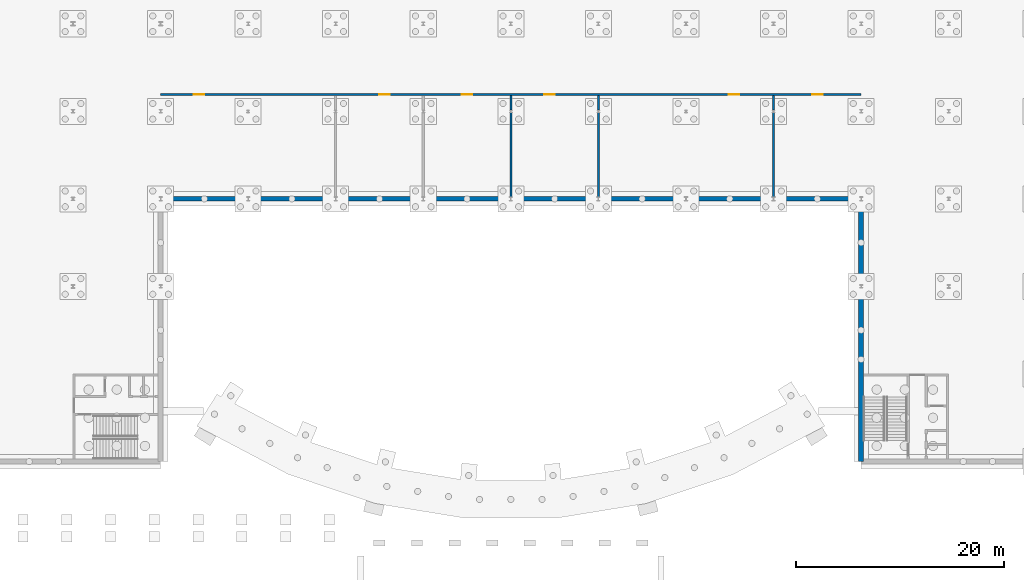
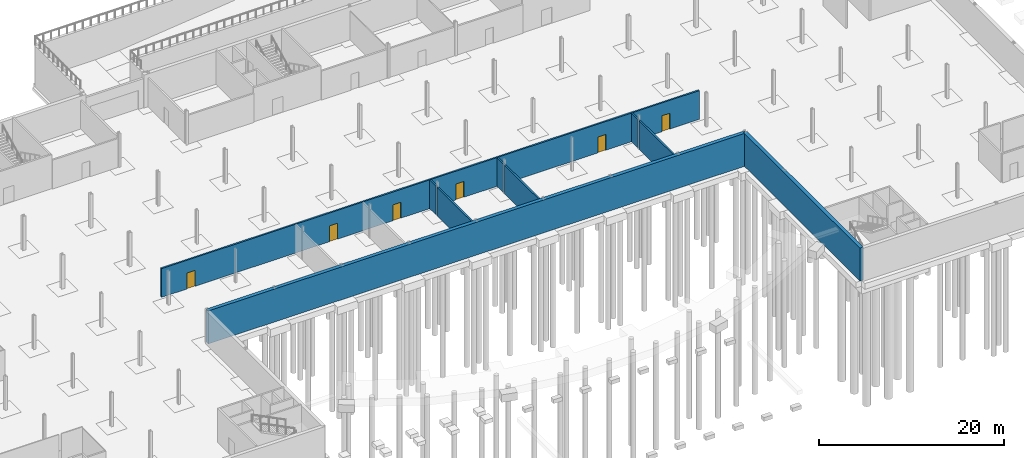
# One storey, part 24 of 35: 9 walls, 6 doors, 6 openings.
"""IFC4 building model written with IfcOpenShell, lengths in metres."""

import ifcopenshell
import ifcopenshell.guid

model = None  # the IFC model being written
_history = None  # IfcOwnerHistory: only IFC2X3 demands one
_inside = {}  # id of a spatial element -> (the spatial element, [elements in it])
_under = {}  # id of a project, library or spatial element -> (it, [spatial elements below it])
_declared = {}  # id of a project -> (the project, [libraries it declares])
_typed = {}  # id of a type object -> (the type object, [elements of that type])
_made_of = {}  # id of a material, layer set ... -> (it, [elements and type objects made of it])


def new_model(schema):
    """Start an empty IFC model of exactly this schema.

    Asked for "IFC4X3", IfcOpenShell would pick the latest addendum, in which some entities
    have other attributes; the version numbers below select the first issue.
    IFC2X3 requires an IfcOwnerHistory on every rooted entity: one is made here for all.
    """
    global model, _history
    if schema == "IFC4X3":
        model = ifcopenshell.file(schema_version=(4, 3, 0, 0))
    else:
        model = ifcopenshell.file(schema=schema)
    _inside.clear()
    _under.clear()
    _declared.clear()
    _typed.clear()
    _made_of.clear()
    _history = None
    if model.schema == "IFC2X3":
        org = make("IfcOrganization", Name="unknown")
        user = make(
            "IfcPersonAndOrganization",
            ThePerson=make("IfcPerson", FamilyName="unknown"),
            TheOrganization=org,
        )
        app = make(
            "IfcApplication",
            ApplicationDeveloper=org,
            Version="unknown",
            ApplicationFullName="unknown",
            ApplicationIdentifier="unknown",
        )
        _history = make(
            "IfcOwnerHistory",
            OwningUser=user,
            OwningApplication=app,
            ChangeAction="ADDED",
            CreationDate=0,
        )
    return model


def make(cls, **values):
    """One entity of the class cls with the attributes given. An attribute that is None is left unset."""
    return model.create_entity(
        cls, **{name: value for name, value in values.items() if value is not None}
    )


def rooted(cls, **values):
    """An entity with a GlobalId (a new one), such as an element, a storey or a relation."""
    return make(cls, GlobalId=ifcopenshell.guid.new(), OwnerHistory=_history, **values)


def si_unit(unit_type, name, prefix=None):
    """IfcSIUnit, for example si_unit("LENGTHUNIT", "METRE", prefix="MILLI")."""
    return make("IfcSIUnit", UnitType=unit_type, Prefix=prefix, Name=name)


def assignment(units):
    """IfcUnitAssignment: the units of a project."""
    return None if units is None else make("IfcUnitAssignment", Units=units)


def point(xyz):
    """IfcCartesianPoint."""
    return None if xyz is None else make("IfcCartesianPoint", Coordinates=xyz)


def direction(xyz):
    """IfcDirection."""
    return None if xyz is None else make("IfcDirection", DirectionRatios=xyz)


def frame(location, z_axis=None, x_axis=None):
    """IfcAxis2Placement3D, a coordinate frame: its origin and axes. An axis left out is left unset."""
    return make(
        "IfcAxis2Placement3D",
        Location=point(location),
        Axis=direction(z_axis),
        RefDirection=direction(x_axis),
    )


def frame_2d(location, x_axis=None):
    """IfcAxis2Placement2D, a coordinate frame in the plane: its origin and x axis."""
    return make(
        "IfcAxis2Placement2D", Location=point(location), RefDirection=direction(x_axis)
    )


def origin():
    """The frame at (0, 0, 0) with its axes left unset."""
    return frame((0.0, 0.0, 0.0))


def place(relative_to, where):
    """IfcLocalPlacement: puts the frame where relative to a parent placement (None: the world)."""
    return make(
        "IfcLocalPlacement", PlacementRelTo=relative_to, RelativePlacement=where
    )


def context(
    kind, dimensions, precision=None, world=None, true_north=None, identifier=None
):
    """IfcGeometricRepresentationContext, for example the 3D "Model" context."""
    return make(
        "IfcGeometricRepresentationContext",
        ContextIdentifier=identifier,
        ContextType=kind,
        CoordinateSpaceDimension=dimensions,
        Precision=precision,
        WorldCoordinateSystem=world,
        TrueNorth=true_north,
    )


def subcontext(parent, identifier, kind, view, scale=None):
    """IfcGeometricRepresentationSubContext, for example "Body" below "Model"."""
    return make(
        "IfcGeometricRepresentationSubContext",
        ContextIdentifier=identifier,
        ContextType=kind,
        ParentContext=parent,
        TargetScale=scale,
        TargetView=view,
    )


def project(units=None, contexts=None):
    """IfcProject with its units and contexts."""
    return rooted(
        "IfcProject",
        Name="project",
        RepresentationContexts=contexts,
        UnitsInContext=assignment(units),
    )


def spatial(cls, under=None, at=None, **own):
    """A site, building, storey or space (cls), placed at a placement, below another one or the project."""
    s = rooted(cls, ObjectPlacement=at, **own)
    if under is not None:
        _under.setdefault(under.id(), (under, []))[1].append(s)
    return s


def profile(cls, at=None, kind="AREA", **sizes):
    """A parametric profile (cls). Its sizes go by their IFC names, for example OverallWidth=200.0."""
    return make(cls, ProfileType=kind, Position=at, **sizes)


def rectangle(**sizes):
    """IfcRectangleProfileDef."""
    return profile("IfcRectangleProfileDef", **sizes)


def extrude(swept, where, along, depth):
    """IfcExtrudedAreaSolid: the profile swept, set in the frame where, extruded along a direction by depth."""
    return make(
        "IfcExtrudedAreaSolid",
        SweptArea=swept,
        Position=where,
        ExtrudedDirection=direction(along),
        Depth=depth,
    )


def shape(context_of_items, identifier, shape_type, items):
    """IfcShapeRepresentation: the items that make up one representation, for example the "Body"."""
    return make(
        "IfcShapeRepresentation",
        ContextOfItems=context_of_items,
        RepresentationIdentifier=identifier,
        RepresentationType=shape_type,
        Items=items,
    )


def material(Name=None, Category=None):
    """IfcMaterial."""
    return make("IfcMaterial", Name=Name, Category=Category)


def layer(
    of_material, thickness, ventilated=None, Name=None, Category=None, Priority=None
):
    """IfcMaterialLayer: one layer of a wall or slab, of a material (None: an air gap)."""
    return make(
        "IfcMaterialLayer",
        Material=of_material,
        LayerThickness=thickness,
        IsVentilated=ventilated,
        Name=Name,
        Category=Category,
        Priority=Priority,
    )


def layer_set(layers, Name=None):
    """IfcMaterialLayerSet."""
    return make("IfcMaterialLayerSet", MaterialLayers=layers, LayerSetName=Name)


def made_of(thing, what):
    """Note that an element or type object is made of a material, layer set ...; save() writes the relation."""
    if what is not None:
        _made_of.setdefault(what.id(), (what, []))[1].append(thing)
    return thing


def type_object(cls, material=None, **own):
    """A type object (cls), such as IfcWallType, which elements share."""
    return made_of(rooted(cls, **own), material)


def element(
    cls,
    number,
    at=None,
    inside=None,
    cuts=None,
    type_object=None,
    material=None,
    context=None,
    identifier="Body",
    shape_type=None,
    held_by="IfcProductDefinitionShape",
    body=None,
    shapes=None,
    **own,
):
    """One element of the class cls, such as IfcWall. Its Tag is "e" and its number.

    at: its placement. inside: the storey or other place that contains it. cuts: it is an
    opening in that element (IfcRelVoidsElement). A single representation is given by context,
    identifier, shape_type and body (its items); several are given by shapes. held_by: the class
    of the entity that holds the representations. save() writes the other relations.
    """
    e = rooted(cls, Tag="e%d" % number, ObjectPlacement=at, **own)
    if body is not None:
        shapes = [shape(context, identifier, shape_type, body)]
    if shapes is not None:
        e.Representation = make(held_by, Representations=shapes)
    if inside is not None:
        _inside.setdefault(inside.id(), (inside, []))[1].append(e)
    if cuts is not None:
        rooted(
            "IfcRelVoidsElement", RelatingBuildingElement=cuts, RelatedOpeningElement=e
        )
    if type_object is not None:
        _typed.setdefault(type_object.id(), (type_object, []))[1].append(e)
    return made_of(e, material)


def fill(opening, filler):
    """IfcRelFillsElement: the door or window that sits in an opening."""
    return rooted(
        "IfcRelFillsElement",
        RelatingOpeningElement=opening,
        RelatedBuildingElement=filler,
    )


def aggregate(whole, parts):
    """IfcRelAggregates: a whole, such as a stair, and the parts it consists of."""
    return rooted("IfcRelAggregates", RelatingObject=whole, RelatedObjects=parts)


def save(model, path):
    """Write the relations noted so far, then the file.

    IfcRelAggregates (storeys below a building ...), IfcRelContainedInSpatialStructure (elements
    in a storey), IfcRelDefinesByType, IfcRelAssociatesMaterial and IfcRelDeclares: one each for
    every whole, place, type object, material and project.
    """
    for whole, parts in _under.values():
        aggregate(whole, parts)
    for where, things in _inside.values():
        rooted(
            "IfcRelContainedInSpatialStructure",
            RelatedElements=things,
            RelatingStructure=where,
        )
    for kind, things in _typed.values():
        rooted("IfcRelDefinesByType", RelatedObjects=things, RelatingType=kind)
    for what, things in _made_of.values():
        rooted("IfcRelAssociatesMaterial", RelatedObjects=things, RelatingMaterial=what)
    for by, libraries in _declared.values():
        rooted("IfcRelDeclares", RelatingContext=by, RelatedDefinitions=libraries)
    model.write(path)


model = new_model("IFC4")

# Units and contexts
model_context = context("Model", 3, precision=1e-05, world=origin(), true_north=direction((0.0, 1.0)))
body_context = subcontext(model_context, "Body", "Model", "MODEL_VIEW")
ifc_project = project(units=[si_unit("LENGTHUNIT", "METRE"), si_unit("AREAUNIT", "SQUARE_METRE"), si_unit("VOLUMEUNIT", "CUBIC_METRE"), si_unit("PLANEANGLEUNIT", "RADIAN"), si_unit("MASSUNIT", "GRAM", prefix="KILO")], contexts=[model_context])

# Site, building, storey
site_placement = place(None, origin())
site = spatial("IfcSite", under=ifc_project, at=site_placement, CompositionType="ELEMENT")
building_placement = place(site_placement, origin())
building = spatial("IfcBuilding", under=site, at=building_placement, Name="Ardhachandra Cancer Care Centre", CompositionType="ELEMENT")
storey_placement = place(building_placement, frame((0.0, 0.0, -4.5)))
storey = spatial("IfcBuildingStorey", under=building, at=storey_placement, Name="B1", CompositionType="ELEMENT", Elevation=-4.5)

# Wall, openings, doors
ifc_material_1 = material(Name="Brick masonry", Category="masonry")
ifc_layer_1 = layer(ifc_material_1, 0.199951171875)
ifc_layer_set_1 = layer_set([ifc_layer_1], Name="Brick masonry")
wall_type_1 = type_object("IfcWallType", Name="PLANT ROOM WALL 200", PredefinedType="SOLIDWALL", material=ifc_layer_set_1)
wall_1_placement = place(storey_placement, frame((44.39990234375, 64.60009765625, 0.0), z_axis=(0.0, 0.0, 1.0), x_axis=(1.0, 0.0, 0.0)))
wall_1 = element("IfcWall", 1, at=wall_1_placement, inside=storey, type_object=wall_type_1, Name="R/wall/B1/h0064600_0044400", PredefinedType="SOLIDWALL", context=body_context, shape_type="SweptSolid", body=[
    extrude(rectangle(XDim=67.2001953125, YDim=0.199951171875, at=frame_2d((33.60009765625, 0.0))), origin(), (0.0, 0.0, 1.0), 3.800048828125),
])
opening_1_placement = place(wall_1_placement, frame((3.199951171875, 0.0, 0.0)))
opening_1 = element("IfcOpeningElement", 2, at=opening_1_placement, cuts=wall_1, Name="Opening B1-0004", PredefinedType="OPENING", context=body_context, shape_type="SweptSolid", body=[
    extrude(rectangle(XDim=1.0, YDim=2.10009765625, at=frame_2d((0.5, 1.050048828125))), frame((0.0, 0.10986328125, 0.0), z_axis=(0.0, -1.0, 0.0), x_axis=(1.0, 0.0, 0.0)), (0.0, 0.0, 1.0), 0.219970703125),
])
opening_2_placement = place(wall_1_placement, frame((21.0, 0.0, 0.0)))
opening_2 = element("IfcOpeningElement", 3, at=opening_2_placement, cuts=wall_1, Name="Opening B1-0005", PredefinedType="OPENING", context=body_context, shape_type="SweptSolid", body=[
    extrude(rectangle(XDim=1.0, YDim=2.10009765625, at=frame_2d((0.5, 1.050048828125))), frame((0.0, 0.10986328125, 0.0), z_axis=(0.0, -1.0, 0.0), x_axis=(1.0, 0.0, 0.0)), (0.0, 0.0, 1.0), 0.219970703125),
])
opening_3_placement = place(wall_1_placement, frame((28.89990234375, 0.0, 0.0)))
opening_3 = element("IfcOpeningElement", 4, at=opening_3_placement, cuts=wall_1, Name="Opening B1-0006", PredefinedType="OPENING", context=body_context, shape_type="SweptSolid", body=[
    extrude(rectangle(XDim=1.0, YDim=2.10009765625, at=frame_2d((0.5, 1.050048828125))), frame((0.0, 0.10986328125, 0.0), z_axis=(0.0, -1.0, 0.0), x_axis=(1.0, 0.0, 0.0)), (0.0, 0.0, 1.0), 0.219970703125),
])
opening_4_placement = place(wall_1_placement, frame((36.800048828125, 0.0, 0.0)))
opening_4 = element("IfcOpeningElement", 5, at=opening_4_placement, cuts=wall_1, Name="Opening B1-0007", PredefinedType="OPENING", context=body_context, shape_type="SweptSolid", body=[
    extrude(rectangle(XDim=1.0, YDim=2.10009765625, at=frame_2d((0.5, 1.050048828125))), frame((0.0, 0.10986328125, 0.0), z_axis=(0.0, -1.0, 0.0), x_axis=(1.0, 0.0, 0.0)), (0.0, 0.0, 1.0), 0.219970703125),
])
opening_5_placement = place(wall_1_placement, frame((54.5, 0.0, 0.0)))
opening_5 = element("IfcOpeningElement", 6, at=opening_5_placement, cuts=wall_1, Name="Opening B1-0008", PredefinedType="OPENING", context=body_context, shape_type="SweptSolid", body=[
    extrude(rectangle(XDim=1.0, YDim=2.10009765625, at=frame_2d((0.5, 1.050048828125))), frame((0.0, 0.10986328125, 0.0), z_axis=(0.0, -1.0, 0.0), x_axis=(1.0, 0.0, 0.0)), (0.0, 0.0, 1.0), 0.219970703125),
])
opening_6_placement = place(wall_1_placement, frame((62.5, 0.0, 0.0)))
opening_6 = element("IfcOpeningElement", 7, at=opening_6_placement, cuts=wall_1, Name="Opening B1-0009", PredefinedType="OPENING", context=body_context, shape_type="SweptSolid", body=[
    extrude(rectangle(XDim=1.0, YDim=2.10009765625, at=frame_2d((0.5, 1.050048828125))), frame((0.0, 0.10986328125, 0.0), z_axis=(0.0, -1.0, 0.0), x_axis=(1.0, 0.0, 0.0)), (0.0, 0.0, 1.0), 0.219970703125),
])
ifc_material_2 = material(Name="Steel fire door", Category="steel")
door_type = type_object("IfcDoorType", Name="FIRE DOOR SINGLE 1000x2100 FD60", OperationType="NOTDEFINED", PredefinedType="DOOR", material=ifc_material_2)
door_1_placement = place(opening_1_placement, origin())
door_1 = element("IfcDoor", 8, at=door_1_placement, inside=storey, type_object=door_type, Name="Door B1-0004", OperationType="SINGLE_SWING_RIGHT", OverallHeight=2.10009765625, OverallWidth=1.0, PredefinedType="DOOR", context=body_context, shape_type="SweptSolid", body=[
    extrude(rectangle(XDim=1.0, YDim=2.10009765625, at=frame_2d((0.5, 1.050048828125))), frame((0.0, 0.02490234375, 0.0), z_axis=(0.0, -1.0, 0.0), x_axis=(1.0, 0.0, 0.0)), (0.0, 0.0, 1.0), 0.050048828125),
])
fill(opening_1, door_1)
door_2_placement = place(opening_2_placement, origin())
door_2 = element("IfcDoor", 9, at=door_2_placement, inside=storey, type_object=door_type, Name="Door B1-0005", OperationType="SINGLE_SWING_LEFT", OverallHeight=2.10009765625, OverallWidth=1.0, PredefinedType="DOOR", context=body_context, shape_type="SweptSolid", body=[
    extrude(rectangle(XDim=1.0, YDim=2.10009765625, at=frame_2d((0.5, 1.050048828125))), frame((0.0, 0.02490234375, 0.0), z_axis=(0.0, -1.0, 0.0), x_axis=(1.0, 0.0, 0.0)), (0.0, 0.0, 1.0), 0.050048828125),
])
fill(opening_2, door_2)
door_3_placement = place(opening_3_placement, origin())
door_3 = element("IfcDoor", 10, at=door_3_placement, inside=storey, type_object=door_type, Name="Door B1-0006", OperationType="SINGLE_SWING_LEFT", OverallHeight=2.10009765625, OverallWidth=1.0, PredefinedType="DOOR", context=body_context, shape_type="SweptSolid", body=[
    extrude(rectangle(XDim=1.0, YDim=2.10009765625, at=frame_2d((0.5, 1.050048828125))), frame((0.0, 0.02490234375, 0.0), z_axis=(0.0, -1.0, 0.0), x_axis=(1.0, 0.0, 0.0)), (0.0, 0.0, 1.0), 0.050048828125),
])
fill(opening_3, door_3)
door_4_placement = place(opening_4_placement, origin())
door_4 = element("IfcDoor", 11, at=door_4_placement, inside=storey, type_object=door_type, Name="Door B1-0007", OperationType="SINGLE_SWING_RIGHT", OverallHeight=2.10009765625, OverallWidth=1.0, PredefinedType="DOOR", context=body_context, shape_type="SweptSolid", body=[
    extrude(rectangle(XDim=1.0, YDim=2.10009765625, at=frame_2d((0.5, 1.050048828125))), frame((0.0, 0.02490234375, 0.0), z_axis=(0.0, -1.0, 0.0), x_axis=(1.0, 0.0, 0.0)), (0.0, 0.0, 1.0), 0.050048828125),
])
fill(opening_4, door_4)
door_5_placement = place(opening_5_placement, origin())
door_5 = element("IfcDoor", 12, at=door_5_placement, inside=storey, type_object=door_type, Name="Door B1-0008", OperationType="SINGLE_SWING_LEFT", OverallHeight=2.10009765625, OverallWidth=1.0, PredefinedType="DOOR", context=body_context, shape_type="SweptSolid", body=[
    extrude(rectangle(XDim=1.0, YDim=2.10009765625, at=frame_2d((0.5, 1.050048828125))), frame((0.0, 0.02490234375, 0.0), z_axis=(0.0, -1.0, 0.0), x_axis=(1.0, 0.0, 0.0)), (0.0, 0.0, 1.0), 0.050048828125),
])
fill(opening_5, door_5)
door_6_placement = place(opening_6_placement, origin())
door_6 = element("IfcDoor", 13, at=door_6_placement, inside=storey, type_object=door_type, Name="Door B1-0009", OperationType="SINGLE_SWING_LEFT", OverallHeight=2.10009765625, OverallWidth=1.0, PredefinedType="DOOR", context=body_context, shape_type="SweptSolid", body=[
    extrude(rectangle(XDim=1.0, YDim=2.10009765625, at=frame_2d((0.5, 1.050048828125))), frame((0.0, 0.02490234375, 0.0), z_axis=(0.0, -1.0, 0.0), x_axis=(1.0, 0.0, 0.0)), (0.0, 0.0, 1.0), 0.050048828125),
])
fill(opening_6, door_6)

# Walls
wall_2_placement = place(storey_placement, frame((78.0, 54.800048828125, 0.0), z_axis=(0.0, 0.0, 1.0), x_axis=(0.0, 1.0, 0.0)))
element("IfcWall", 14, at=wall_2_placement, inside=storey, type_object=wall_type_1, Name="R/wall/B1/v0078000_0054800", PredefinedType="SOLIDWALL", context=body_context, shape_type="SweptSolid", body=[
    extrude(rectangle(XDim=8.079833984375, YDim=0.199951171875, at=frame_2d((4.0400390625, 0.0))), origin(), (0.0, 0.0, 1.0), 3.800048828125),
])
wall_3_placement = place(storey_placement, frame((78.0, 63.1201171875, 0.0), z_axis=(0.0, 0.0, 1.0), x_axis=(0.0, 1.0, 0.0)))
element("IfcWall", 15, at=wall_3_placement, inside=storey, type_object=wall_type_1, Name="R/wall/B1/v0078000_0063120", PredefinedType="SOLIDWALL", context=body_context, shape_type="SweptSolid", body=[
    extrude(rectangle(XDim=1.3798828125, YDim=0.199951171875, at=frame_2d((0.68994140625, 0.0))), origin(), (0.0, 0.0, 1.0), 3.800048828125),
])
wall_4_placement = place(storey_placement, frame((86.39990234375, 54.800048828125, 0.0), z_axis=(0.0, 0.0, 1.0), x_axis=(0.0, 1.0, 0.0)))
element("IfcWall", 16, at=wall_4_placement, inside=storey, type_object=wall_type_1, Name="R/wall/B1/v0086400_0054800", PredefinedType="SOLIDWALL", context=body_context, shape_type="SweptSolid", body=[
    extrude(rectangle(XDim=8.079833984375, YDim=0.199951171875, at=frame_2d((4.0400390625, 0.0))), origin(), (0.0, 0.0, 1.0), 3.800048828125),
])
wall_5_placement = place(storey_placement, frame((86.39990234375, 63.1201171875, 0.0), z_axis=(0.0, 0.0, 1.0), x_axis=(0.0, 1.0, 0.0)))
element("IfcWall", 17, at=wall_5_placement, inside=storey, type_object=wall_type_1, Name="R/wall/B1/v0086400_0063120", PredefinedType="SOLIDWALL", context=body_context, shape_type="SweptSolid", body=[
    extrude(rectangle(XDim=1.3798828125, YDim=0.199951171875, at=frame_2d((0.68994140625, 0.0))), origin(), (0.0, 0.0, 1.0), 3.800048828125),
])
wall_6_placement = place(storey_placement, frame((103.199951171875, 54.800048828125, 0.0), z_axis=(0.0, 0.0, 1.0), x_axis=(0.0, 1.0, 0.0)))
element("IfcWall", 18, at=wall_6_placement, inside=storey, type_object=wall_type_1, Name="R/wall/B1/v0103200_0054800", PredefinedType="SOLIDWALL", context=body_context, shape_type="SweptSolid", body=[
    extrude(rectangle(XDim=8.079833984375, YDim=0.199951171875, at=frame_2d((4.0400390625, 0.0))), origin(), (0.0, 0.0, 1.0), 3.800048828125),
])
wall_7_placement = place(storey_placement, frame((103.199951171875, 63.1201171875, 0.0), z_axis=(0.0, 0.0, 1.0), x_axis=(0.0, 1.0, 0.0)))
element("IfcWall", 19, at=wall_7_placement, inside=storey, type_object=wall_type_1, Name="R/wall/B1/v0103200_0063120", PredefinedType="SOLIDWALL", context=body_context, shape_type="SweptSolid", body=[
    extrude(rectangle(XDim=1.3798828125, YDim=0.199951171875, at=frame_2d((0.68994140625, 0.0))), origin(), (0.0, 0.0, 1.0), 3.800048828125),
])
ifc_material_3 = material(Name="Concrete M40", Category="concrete")
ifc_layer_2 = layer(ifc_material_3, 0.449951171875)
ifc_layer_set_2 = layer_set([ifc_layer_2], Name="Concrete M40")
wall_type_2 = type_object("IfcWallType", Name="Retaining wall 450", PredefinedType="SOLIDWALL", material=ifc_layer_set_2)
wall_8_placement = place(storey_placement, frame((44.39990234375, 54.60009765625, 0.0), z_axis=(0.0, 0.0, 1.0), x_axis=(1.0, 0.0, 0.0)))
element("IfcWall", 20, at=wall_8_placement, inside=storey, type_object=wall_type_2, Name="Basement retaining wall 01", PredefinedType="SOLIDWALL", context=body_context, shape_type="SweptSolid", body=[
    extrude(rectangle(XDim=67.2001953125, YDim=0.449951171875, at=frame_2d((33.60009765625, 0.0))), origin(), (0.0, 0.0, 1.0), 4.35009765625),
])
wall_9_placement = place(storey_placement, frame((111.60009765625, 54.60009765625, 0.0), z_axis=(0.0, 0.0, 1.0), x_axis=(0.0, -1.0, 0.0)))
element("IfcWall", 21, at=wall_9_placement, inside=storey, type_object=wall_type_2, Name="Basement retaining wall 02", PredefinedType="SOLIDWALL", context=body_context, shape_type="SweptSolid", body=[
    extrude(rectangle(XDim=25.2001953125, YDim=0.449951171875, at=frame_2d((12.60009765625, 0.0))), origin(), (0.0, 0.0, 1.0), 4.35009765625),
])

save(model, "model.ifc")
